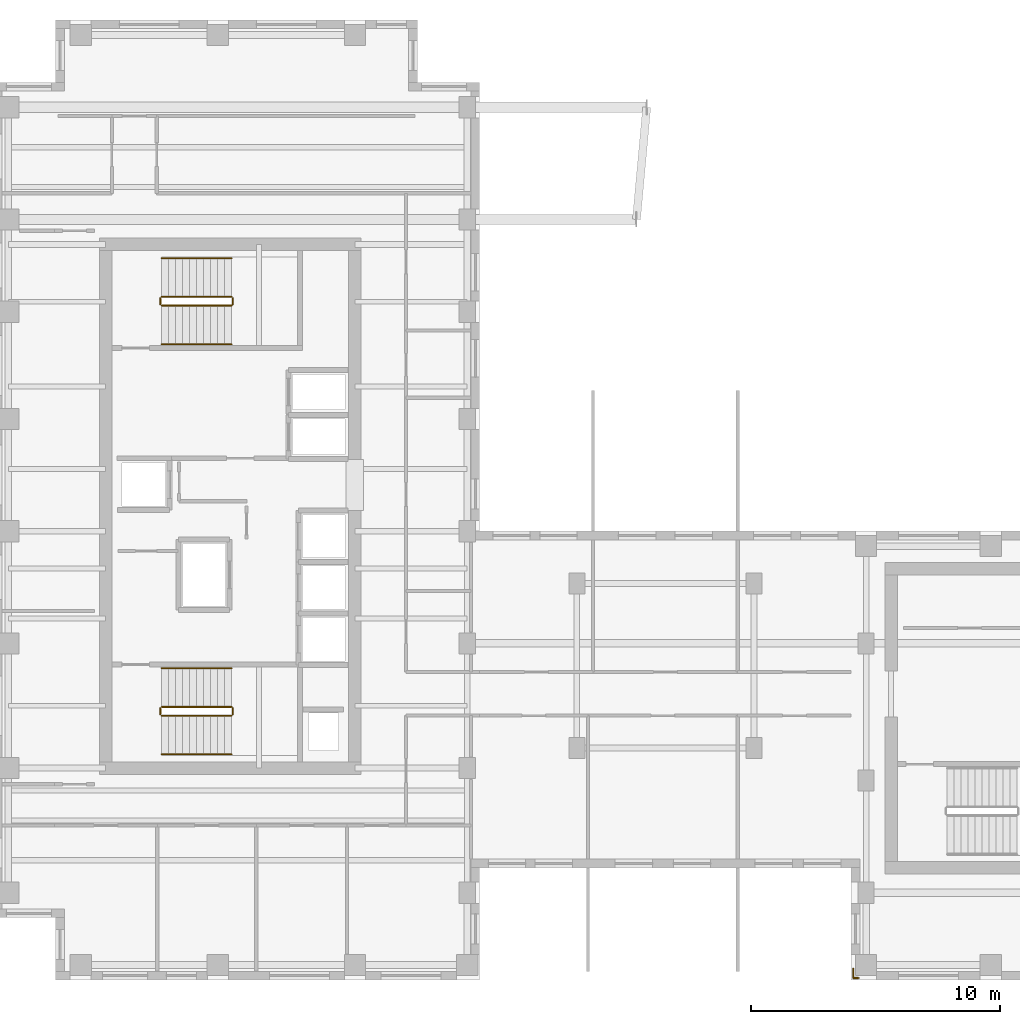
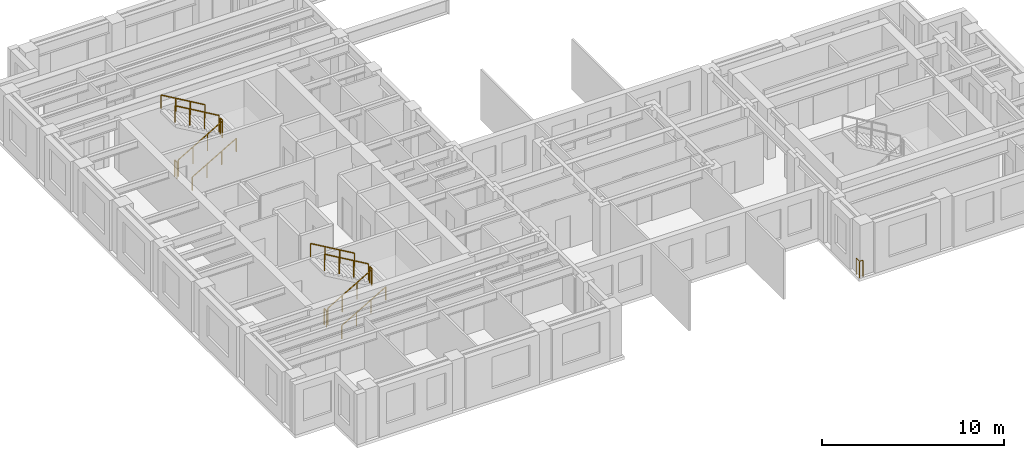
# One storey, part 10 of 11: 13 railings.
"""IFC4 building model written with IfcOpenShell, lengths in metres."""

from ifc_helpers import new_model, si_unit, direction, frame, origin, origin_2d, place, context, subcontext, project, spatial, circle, extrude, source, transform, mapped, material, layer, layer_set, type_object, element, save


model = new_model("IFC4")

# Units and contexts
model_context = context("Model", 3, precision=1e-05, world=origin(), true_north=direction((0.0, 1.0)))
body_context = subcontext(model_context, "Body", "Model", "MODEL_VIEW")
ifc_project = project(units=[si_unit("LENGTHUNIT", "METRE"), si_unit("AREAUNIT", "SQUARE_METRE"), si_unit("VOLUMEUNIT", "CUBIC_METRE"), si_unit("PLANEANGLEUNIT", "RADIAN"), si_unit("MASSUNIT", "GRAM", prefix="KILO")], contexts=[model_context])

# Site, building, storey
site_placement = place(None, origin())
site = spatial("IfcSite", under=ifc_project, at=site_placement, CompositionType="ELEMENT")
building_placement = place(site_placement, origin())
building = spatial("IfcBuilding", under=site, at=building_placement, Name="Kharzan Plaza Tower", CompositionType="ELEMENT")
storey_placement = place(building_placement, frame((0.0, 0.0, 219.60009765625)))
storey = spatial("IfcBuildingStorey", under=building, at=storey_placement, Name="L59", CompositionType="ELEMENT", Elevation=219.60009765625)

# Railings
ifc_material_1 = material(Name="Painted Galvanized Architectural Steel", Category="steel")
ifc_layer_1 = layer(ifc_material_1, 0.074951171875)
ifc_layer_set_1 = layer_set([ifc_layer_1], Name="Painted Galvanized Architectural Steel")
railing_type_1 = type_object("IfcRailingType", Name="RL-GUARD-1120", PredefinedType="BALUSTRADE", material=ifc_layer_set_1)
shared_shape_1 = source(origin(), body_context, "Body", "SweptSolid", [
    extrude(circle(Radius=0.02392578125, at=origin_2d()), frame((0.0, 0.0263671875, 1.09619140625), z_axis=(0.0, 1.0, 0.0), x_axis=(-1.0, 0.0, 0.0)), (0.0, 0.0, 1.0), 0.197021484375),
    extrude(circle(Radius=0.02099609375, at=origin_2d()), origin(), (0.0, 0.0, 1.0), 1.072021484375),
    extrude(circle(Radius=0.02099609375, at=origin_2d()), frame((0.0, 0.25, 0.0)), (0.0, 0.0, 1.0), 1.072021484375),
])
for number, where, name in (
    (1, (9.60009765625, 10.64990234375, 1.7998046875), "L59 ST-1 stair guard 2"),
    (2, (6.699951171875, 10.64990234375, 0.0), "L59 ST-1 stair guard 4"),
    (3, (9.60009765625, 27.10009765625, 1.7998046875), "L59 ST-2 stair guard 2"),
    (4, (6.699951171875, 27.10009765625, 0.0), "L59 ST-2 stair guard 4"),
):
    element("IfcRailing", number, at=place(storey_placement, frame(where)), inside=storey, type_object=railing_type_1, Name=name, PredefinedType="BALUSTRADE", context=body_context, shape_type="MappedRepresentation", body=[
        mapped(shared_shape_1, transform((0.0, 0.0, 0.0), x_axis=(1.0, 0.0, 0.0), y_axis=(0.0, 1.0, 0.0), z_axis=(0.0, 0.0, 1.0))),
    ])
shared_shape_2 = source(origin(), body_context, "Body", "SweptSolid", [
    extrude(circle(Radius=0.02392578125, at=origin_2d()), frame((0.02294921875, 0.0, 1.109375), z_axis=(0.863393664356, 0.0, 0.504530851732), x_axis=(0.0, 1.0, 0.0)), (0.0, 0.0, 1.0), 3.190185546875),
    extrude(circle(Radius=0.02099609375, at=origin_2d()), origin(), (0.0, 0.0, 1.0), 1.072021484375),
    extrude(circle(Radius=0.02099609375, at=origin_2d()), frame((0.933349609375, 0.0, 0.54541015625)), (0.0, 0.0, 1.0), 1.072021484375),
    extrude(circle(Radius=0.02099609375, at=origin_2d()), frame((1.86669921875, 0.0, 1.0908203125)), (0.0, 0.0, 1.0), 1.072021484375),
    extrude(circle(Radius=0.02099609375, at=origin_2d()), frame((2.800048828125, 0.0, 1.63623046875)), (0.0, 0.0, 1.0), 1.072021484375),
])
for number, where, name in (
    (5, (6.75, 10.60009765625, 0.16357421875), "L59 ST-1 stair guard 1"),
    (6, (6.75, 27.050048828125, 0.16357421875), "L59 ST-2 stair guard 1"),
):
    element("IfcRailing", number, at=place(storey_placement, frame(where)), inside=storey, type_object=railing_type_1, Name=name, PredefinedType="BALUSTRADE", context=body_context, shape_type="MappedRepresentation", body=[
        mapped(shared_shape_2, transform((0.0, 0.0, 0.0), x_axis=(1.0, 0.0, 0.0), y_axis=(0.0, 1.0, 0.0), z_axis=(0.0, 0.0, 1.0))),
    ])
shared_shape_3 = source(origin(), body_context, "Body", "SweptSolid", [
    extrude(circle(Radius=0.02392578125, at=origin_2d()), frame((-0.02294921875, 0.0, 1.109375), z_axis=(-0.863393664356, 0.0, 0.504530851732), x_axis=(0.0, -1.0, 0.0)), (0.0, 0.0, 1.0), 3.190185546875),
    extrude(circle(Radius=0.02099609375, at=origin_2d()), origin(), (0.0, 0.0, 1.0), 1.072021484375),
    extrude(circle(Radius=0.02099609375, at=origin_2d()), frame((-0.933349609375, 0.0, 0.54541015625)), (0.0, 0.0, 1.0), 1.072021484375),
    extrude(circle(Radius=0.02099609375, at=origin_2d()), frame((-1.86669921875, 0.0, 1.0908203125)), (0.0, 0.0, 1.0), 1.072021484375),
    extrude(circle(Radius=0.02099609375, at=origin_2d()), frame((-2.800048828125, 0.0, 1.63623046875)), (0.0, 0.0, 1.0), 1.072021484375),
])
for number, where, name in (
    (7, (9.550048828125, 10.949951171875, 1.963623046875), "L59 ST-1 stair guard 3"),
    (8, (9.550048828125, 27.39990234375, 1.963623046875), "L59 ST-2 stair guard 3"),
):
    element("IfcRailing", number, at=place(storey_placement, frame(where)), inside=storey, type_object=railing_type_1, Name=name, PredefinedType="BALUSTRADE", context=body_context, shape_type="MappedRepresentation", body=[
        mapped(shared_shape_3, transform((0.0, 0.0, 0.0), x_axis=(1.0, 0.0, 0.0), y_axis=(0.0, 1.0, 0.0), z_axis=(0.0, 0.0, 1.0))),
    ])
ifc_material_2 = material(Name="Brushed Stainless Steel", Category="steel")
ifc_layer_2 = layer(ifc_material_2, 0.050048828125)
ifc_layer_set_2 = layer_set([ifc_layer_2], Name="Brushed Stainless Steel")
railing_type_2 = type_object("IfcRailingType", Name="RL-STAIR-HR920", PredefinedType="HANDRAIL", material=ifc_layer_set_2)
shared_shape_4 = source(origin(), body_context, "Body", "SweptSolid", [
    extrude(circle(Radius=0.02392578125, at=origin_2d()), frame((0.02294921875, 0.0, 0.88916015625), z_axis=(0.863393664356, 0.0, 0.504530851732), x_axis=(0.0, 1.0, 0.0)), (0.0, 0.0, 1.0), 3.190185546875),
    extrude(circle(Radius=0.02099609375, at=origin_2d()), origin(), (0.0, 0.0, 1.0), 0.851806640625),
    extrude(circle(Radius=0.02099609375, at=origin_2d()), frame((0.933349609375, 0.0, 0.54541015625)), (0.0, 0.0, 1.0), 0.851806640625),
    extrude(circle(Radius=0.02099609375, at=origin_2d()), frame((1.86669921875, 0.0, 1.0908203125)), (0.0, 0.0, 1.0), 0.851806640625),
    extrude(circle(Radius=0.02099609375, at=origin_2d()), frame((2.800048828125, 0.0, 1.63623046875)), (0.0, 0.0, 1.0), 0.851806640625),
])
for number, where, name in (
    (9, (6.75, 9.050048828125, 0.16357421875), "L59 ST-1 stair handrail 1"),
    (10, (6.75, 25.5, 0.16357421875), "L59 ST-2 stair handrail 1"),
):
    element("IfcRailing", number, at=place(storey_placement, frame(where)), inside=storey, type_object=railing_type_2, Name=name, PredefinedType="HANDRAIL", context=body_context, shape_type="MappedRepresentation", body=[
        mapped(shared_shape_4, transform((0.0, 0.0, 0.0), x_axis=(1.0, 0.0, 0.0), y_axis=(0.0, 1.0, 0.0), z_axis=(0.0, 0.0, 1.0))),
    ])
shared_shape_5 = source(origin(), body_context, "Body", "SweptSolid", [
    extrude(circle(Radius=0.02392578125, at=origin_2d()), frame((-0.02294921875, 0.0, 0.88916015625), z_axis=(-0.863393664356, 0.0, 0.504530851732), x_axis=(0.0, -1.0, 0.0)), (0.0, 0.0, 1.0), 3.190185546875),
    extrude(circle(Radius=0.02099609375, at=origin_2d()), origin(), (0.0, 0.0, 1.0), 0.851806640625),
    extrude(circle(Radius=0.02099609375, at=origin_2d()), frame((-0.933349609375, 0.0, 0.54541015625)), (0.0, 0.0, 1.0), 0.851806640625),
    extrude(circle(Radius=0.02099609375, at=origin_2d()), frame((-1.86669921875, 0.0, 1.0908203125)), (0.0, 0.0, 1.0), 0.851806640625),
    extrude(circle(Radius=0.02099609375, at=origin_2d()), frame((-2.800048828125, 0.0, 1.63623046875)), (0.0, 0.0, 1.0), 0.851806640625),
])
for number, where, name in (
    (11, (9.550048828125, 12.5, 1.963623046875), "L59 ST-1 stair handrail 2"),
    (12, (9.550048828125, 28.949951171875, 1.963623046875), "L59 ST-2 stair handrail 2"),
):
    element("IfcRailing", number, at=place(storey_placement, frame(where)), inside=storey, type_object=railing_type_2, Name=name, PredefinedType="HANDRAIL", context=body_context, shape_type="MappedRepresentation", body=[
        mapped(shared_shape_5, transform((0.0, 0.0, 0.0), x_axis=(1.0, 0.0, 0.0), y_axis=(0.0, 1.0, 0.0), z_axis=(0.0, 0.0, 1.0))),
    ])
shared_shape_6 = source(origin(), body_context, "Body", "SweptSolid", [
    extrude(circle(Radius=0.02392578125, at=origin_2d()), frame((-0.0263671875, 0.0, 1.09619140625), z_axis=(-1.0, 0.0, 0.0), x_axis=(0.0, -1.0, 0.0)), (0.0, 0.0, 1.0), 0.1669921875),
    extrude(circle(Radius=0.02392578125, at=origin_2d()), frame((-0.219970703125, 0.0263671875, 1.09619140625), z_axis=(0.0, 1.0, 0.0), x_axis=(-1.0, 0.0, 0.0)), (0.0, 0.0, 1.0), 0.31689453125),
    extrude(circle(Radius=0.02099609375, at=origin_2d()), origin(), (0.0, 0.0, 1.0), 1.072021484375),
    extrude(circle(Radius=0.02099609375, at=origin_2d()), frame((-0.219970703125, 0.0, 0.0)), (0.0, 0.0, 1.0), 1.072021484375),
    extrude(circle(Radius=0.02099609375, at=origin_2d()), frame((-0.219970703125, 0.369873046875, 0.0)), (0.0, 0.0, 1.0), 1.072021484375),
])
railing_placement = place(storey_placement, frame((34.699951171875, 0.080078125, 0.0)))
element("IfcRailing", 13, at=railing_placement, inside=storey, type_object=railing_type_1, Name="L59 South-West Wing B Slot Corner Safety Guard", PredefinedType="BALUSTRADE", context=body_context, shape_type="MappedRepresentation", body=[
    mapped(shared_shape_6, transform((0.0, 0.0, 0.0), x_axis=(1.0, 0.0, 0.0), y_axis=(0.0, 1.0, 0.0), z_axis=(0.0, 0.0, 1.0))),
])

save(model, "model.ifc")
